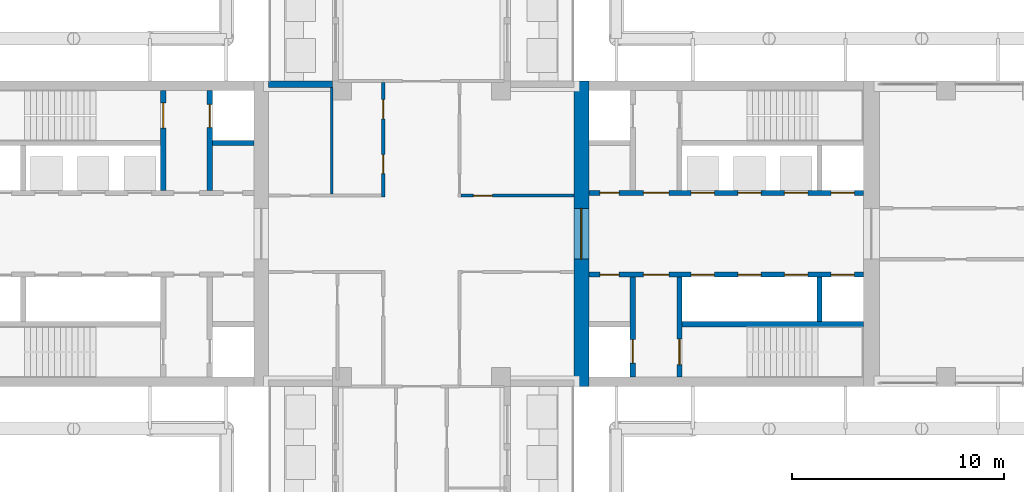
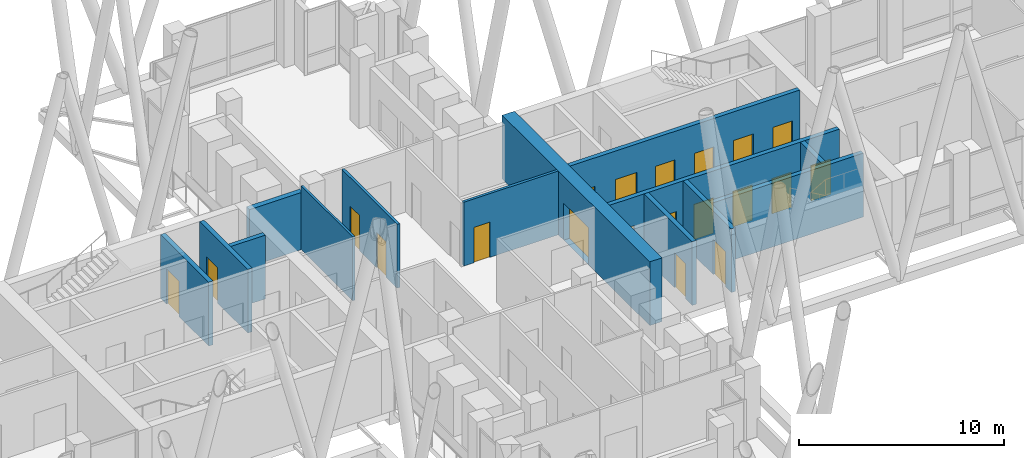
# One storey, part 16 of 22: 20 doors, 14 walls, 20 openings.
"""IFC4 building model written with IfcOpenShell, lengths in metres."""

from ifc_helpers import new_model, si_unit, direction, frame, frame_2d, origin, place, context, subcontext, project, spatial, rectangle, extrude, material, layer, layer_set, type_object, element, fill, save


model = new_model("IFC4")

# Units and contexts
model_context = context("Model", 3, precision=1e-05, world=origin(), true_north=direction((0.0, 1.0)))
body_context = subcontext(model_context, "Body", "Model", "MODEL_VIEW")
ifc_project = project(units=[si_unit("LENGTHUNIT", "METRE"), si_unit("AREAUNIT", "SQUARE_METRE"), si_unit("VOLUMEUNIT", "CUBIC_METRE"), si_unit("PLANEANGLEUNIT", "RADIAN"), si_unit("MASSUNIT", "GRAM", prefix="KILO")], contexts=[model_context])

# Site, building, storey
site_placement = place(None, origin())
site = spatial("IfcSite", under=ifc_project, at=site_placement, CompositionType="ELEMENT")
building_placement = place(site_placement, origin())
building = spatial("IfcBuilding", under=site, at=building_placement, Name="Fustian Cross Tower", CompositionType="ELEMENT")
storey_placement = place(building_placement, frame((0.0, 0.0, 116.10009765625)))
storey = spatial("IfcBuildingStorey", under=building, at=storey_placement, Name="L36", CompositionType="ELEMENT", Elevation=116.10009765625)

# Wall, openings, doors
ifc_material_1 = material(Name="Plasterboard on steel stud", Category="steel")
ifc_layer_1 = layer(ifc_material_1, 0.14990234375)
ifc_layer_set_1 = layer_set([ifc_layer_1], Name="Plasterboard on steel stud")
wall_type_1 = type_object("IfcWallType", Name="COMPARTMENT WALL 150 EI 60", PredefinedType="PARTITIONING", material=ifc_layer_set_1)
wall_1_placement = place(storey_placement, frame((-1.800048828125, 1.72509765625, 0.0), z_axis=(0.0, 0.0, 1.0), x_axis=(0.0, 1.0, 0.0)))
wall_1 = element("IfcWall", 1, at=wall_1_placement, inside=storey, type_object=wall_type_1, Name="Partition 13", PredefinedType="PARTITIONING", context=body_context, shape_type="SweptSolid", body=[
    extrude(rectangle(XDim=5.39990234375, YDim=0.14990234375, at=frame_2d((2.699951171875, 0.0))), origin(), (0.0, 0.0, 1.0), 3.7998046875),
])
opening_1_placement = place(wall_1_placement, frame((1.110107421875, 0.0, 0.0)))
opening_1 = element("IfcOpeningElement", 2, at=opening_1_placement, cuts=wall_1, Name="Opening D17004", PredefinedType="OPENING", context=body_context, shape_type="SweptSolid", body=[
    extrude(rectangle(XDim=0.89990234375, YDim=2.10009765625, at=frame_2d((0.449951171875, 1.050048828125))), frame((0.0, 0.0849609375, 0.0), z_axis=(0.0, -1.0, 0.0), x_axis=(1.0, 0.0, 0.0)), (0.0, 0.0, 1.0), 0.169921875),
])
opening_2_placement = place(wall_1_placement, frame((3.695068359375, 0.0, 0.0)))
opening_2 = element("IfcOpeningElement", 3, at=opening_2_placement, cuts=wall_1, Name="Opening D17005", PredefinedType="OPENING", context=body_context, shape_type="SweptSolid", body=[
    extrude(rectangle(XDim=0.89990234375, YDim=2.10009765625, at=frame_2d((0.449951171875, 1.050048828125))), frame((0.0, 0.0849609375, 0.0), z_axis=(0.0, -1.0, 0.0), x_axis=(1.0, 0.0, 0.0)), (0.0, 0.0, 1.0), 0.169921875),
])
ifc_material_2 = material(Name="Timber fire door set", Category="wood")
door_type_1 = type_object("IfcDoorType", Name="FIRE SWING DOOR 900 FD30S", OperationType="SINGLE_SWING_LEFT", PredefinedType="DOOR", material=ifc_material_2)
door_1_placement = place(opening_1_placement, origin())
door_1 = element("IfcDoor", 4, at=door_1_placement, inside=storey, type_object=door_type_1, Name="Door D17004", OperationType="SINGLE_SWING_LEFT", OverallHeight=2.10009765625, OverallWidth=0.89990234375, PredefinedType="DOOR", context=body_context, shape_type="SweptSolid", body=[
    extrude(rectangle(XDim=0.89990234375, YDim=2.10009765625, at=frame_2d((0.449951171875, 1.050048828125))), frame((0.0, 0.02490234375, 0.0), z_axis=(0.0, -1.0, 0.0), x_axis=(1.0, 0.0, 0.0)), (0.0, 0.0, 1.0), 0.050048828125),
])
fill(opening_1, door_1)
door_2_placement = place(opening_2_placement, origin())
door_2 = element("IfcDoor", 5, at=door_2_placement, inside=storey, type_object=door_type_1, Name="Door D17005", OperationType="SINGLE_SWING_RIGHT", OverallHeight=2.10009765625, OverallWidth=0.89990234375, PredefinedType="DOOR", context=body_context, shape_type="SweptSolid", body=[
    extrude(rectangle(XDim=0.89990234375, YDim=2.10009765625, at=frame_2d((0.449951171875, 1.050048828125))), frame((0.0, 0.02490234375, 0.0), z_axis=(0.0, -1.0, 0.0), x_axis=(1.0, 0.0, 0.0)), (0.0, 0.0, 1.0), 0.050048828125),
])
fill(opening_2, door_2)

# Wall, opening, door
wall_2_placement = place(storey_placement, frame((1.875, 1.800048828125, 0.0), z_axis=(0.0, 0.0, 1.0), x_axis=(1.0, 0.0, 0.0)))
wall_2 = element("IfcWall", 6, at=wall_2_placement, inside=storey, type_object=wall_type_1, Name="Partition 24", PredefinedType="PARTITIONING", context=body_context, shape_type="SweptSolid", body=[
    extrude(rectangle(XDim=5.324951171875, YDim=0.14990234375, at=frame_2d((2.66259765625, 0.0))), origin(), (0.0, 0.0, 1.0), 3.7998046875),
])
opening_3_placement = place(wall_2_placement, frame((0.574951171875, 0.0, 0.0)))
opening_3 = element("IfcOpeningElement", 7, at=opening_3_placement, cuts=wall_2, Name="Opening D17003", PredefinedType="OPENING", context=body_context, shape_type="SweptSolid", body=[
    extrude(rectangle(XDim=0.89990234375, YDim=2.10009765625, at=frame_2d((0.449951171875, 1.050048828125))), frame((0.0, 0.0849609375, 0.0), z_axis=(0.0, -1.0, 0.0), x_axis=(1.0, 0.0, 0.0)), (0.0, 0.0, 1.0), 0.169921875),
])
door_3_placement = place(opening_3_placement, frame((0.89990234375, 0.0, 0.0), z_axis=(0.0, 0.0, 1.0), x_axis=(-1.0, 0.0, 0.0)))
door_3 = element("IfcDoor", 8, at=door_3_placement, inside=storey, type_object=door_type_1, Name="Door D17003", OperationType="SINGLE_SWING_LEFT", OverallHeight=2.10009765625, OverallWidth=0.89990234375, PredefinedType="DOOR", context=body_context, shape_type="SweptSolid", body=[
    extrude(rectangle(XDim=0.89990234375, YDim=2.10009765625, at=frame_2d((0.449951171875, 1.050048828125))), frame((0.0, 0.02490234375, 0.0), z_axis=(0.0, -1.0, 0.0), x_axis=(1.0, 0.0, 0.0)), (0.0, 0.0, 1.0), 0.050048828125),
])
fill(opening_3, door_3)

ifc_material_3 = material(Name="Concrete C60/75", Category="concrete")
ifc_layer_2 = layer(ifc_material_3, 0.699951171875)
ifc_layer_set_2 = layer_set([ifc_layer_2], Name="Concrete C60/75")
wall_type_2 = type_object("IfcWallType", Name="CORE END WALL 700 C60/75", PredefinedType="SHEAR", material=ifc_layer_set_2)
wall_3_placement = place(storey_placement, frame((7.550048828125, -7.199951171875, 0.0), z_axis=(0.0, 0.0, 1.0), x_axis=(0.0, 1.0, 0.0)))
wall_3 = element("IfcWall", 9, at=wall_3_placement, inside=storey, type_object=wall_type_2, Name="Core end wall", PredefinedType="SHEAR", context=body_context, shape_type="SweptSolid", body=[
    extrude(rectangle(XDim=14.39990234375, YDim=0.699951171875, at=frame_2d((7.199951171875, 0.0))), origin(), (0.0, 0.0, 1.0), 3.7998046875),
])
opening_4_placement = place(wall_3_placement, frame((6.0, 0.0, 0.0)))
opening_4 = element("IfcOpeningElement", 10, at=opening_4_placement, cuts=wall_3, Name="Opening CD-14-17", PredefinedType="OPENING", context=body_context, shape_type="SweptSolid", body=[
    extrude(rectangle(XDim=2.39990234375, YDim=2.199951171875, at=frame_2d((1.199951171875, 1.10009765625))), frame((0.0, 0.35986328125, 0.0), z_axis=(0.0, -1.0, 0.0), x_axis=(1.0, 0.0, 0.0)), (0.0, 0.0, 1.0), 0.719970703125),
])
ifc_material_4 = material(Name="Steel", Category="steel")
door_type_2 = type_object("IfcDoorType", Name="FIRE DOOR FD30S DOUBLE 2400X2200", OperationType="DOUBLE_DOOR_DOUBLE_SWING", PredefinedType="DOOR", material=ifc_material_4)
door_4_placement = place(opening_4_placement, origin())
door_4 = element("IfcDoor", 11, at=door_4_placement, inside=storey, type_object=door_type_2, Name="Core door CD-14-17", OperationType="DOUBLE_DOOR_DOUBLE_SWING", OverallHeight=2.199951171875, OverallWidth=2.39990234375, PredefinedType="DOOR", context=body_context, shape_type="SweptSolid", body=[
    extrude(rectangle(XDim=2.39990234375, YDim=2.199951171875, at=frame_2d((1.199951171875, 1.10009765625))), frame((0.0, 0.02490234375, 0.0), z_axis=(0.0, -1.0, 0.0), x_axis=(1.0, 0.0, 0.0)), (0.0, 0.0, 1.0), 0.050048828125),
])
fill(opening_4, door_4)

# Wall, openings, doors
ifc_material_5 = material(Name="Concrete C50/60", Category="concrete")
ifc_layer_3 = layer(ifc_material_5, 0.25)
ifc_layer_set_3 = layer_set([ifc_layer_3], Name="Concrete C50/60")
wall_type_3 = type_object("IfcWallType", Name="CORE LOBBY WALL 250 C50/60", PredefinedType="SHEAR", material=ifc_layer_set_3)
wall_4_placement = place(storey_placement, frame((7.89990234375, 1.925048828125, 0.0), z_axis=(0.0, 0.0, 1.0), x_axis=(1.0, 0.0, 0.0)))
wall_4 = element("IfcWall", 12, at=wall_4_placement, inside=storey, type_object=wall_type_3, Name="Core lobby wall", PredefinedType="SHEAR", context=body_context, shape_type="SweptSolid", body=[
    extrude(rectangle(XDim=12.9501953125, YDim=0.25, at=frame_2d((6.47509765625, 0.0))), origin(), (0.0, 0.0, 1.0), 3.7998046875),
])
opening_5_placement = place(wall_4_placement, frame((4.824951171875, 0.0, 0.0)))
opening_5 = element("IfcOpeningElement", 13, at=opening_5_placement, cuts=wall_4, Name="Opening LD", PredefinedType="OPENING", context=body_context, shape_type="SweptSolid", body=[
    extrude(rectangle(XDim=1.10009765625, YDim=2.10009765625, at=frame_2d((0.550048828125, 1.050048828125))), frame((0.0, 0.135009765625, 0.0), z_axis=(0.0, -1.0, 0.0), x_axis=(1.0, 0.0, 0.0)), (0.0, 0.0, 1.0), 0.27001953125),
])
opening_6_placement = place(wall_4_placement, frame((7.02490234375, 0.0, 0.0)))
opening_6 = element("IfcOpeningElement", 14, at=opening_6_placement, cuts=wall_4, Name="Opening LD", PredefinedType="OPENING", context=body_context, shape_type="SweptSolid", body=[
    extrude(rectangle(XDim=1.10009765625, YDim=2.10009765625, at=frame_2d((0.550048828125, 1.050048828125))), frame((0.0, 0.135009765625, 0.0), z_axis=(0.0, -1.0, 0.0), x_axis=(1.0, 0.0, 0.0)), (0.0, 0.0, 1.0), 0.27001953125),
])
opening_7_placement = place(wall_4_placement, frame((9.22509765625, 0.0, 0.0)))
opening_7 = element("IfcOpeningElement", 15, at=opening_7_placement, cuts=wall_4, Name="Opening LD", PredefinedType="OPENING", context=body_context, shape_type="SweptSolid", body=[
    extrude(rectangle(XDim=1.10009765625, YDim=2.10009765625, at=frame_2d((0.550048828125, 1.050048828125))), frame((0.0, 0.135009765625, 0.0), z_axis=(0.0, -1.0, 0.0), x_axis=(1.0, 0.0, 0.0)), (0.0, 0.0, 1.0), 0.27001953125),
])
opening_8_placement = place(wall_4_placement, frame((11.425048828125, 0.0, 0.0)))
opening_8 = element("IfcOpeningElement", 16, at=opening_8_placement, cuts=wall_4, Name="Opening LD", PredefinedType="OPENING", context=body_context, shape_type="SweptSolid", body=[
    extrude(rectangle(XDim=1.10009765625, YDim=2.10009765625, at=frame_2d((0.550048828125, 1.050048828125))), frame((0.0, 0.135009765625, 0.0), z_axis=(0.0, -1.0, 0.0), x_axis=(1.0, 0.0, 0.0)), (0.0, 0.0, 1.0), 0.27001953125),
])
opening_9_placement = place(wall_4_placement, frame((0.52490234375, 0.0, 0.0)))
opening_9 = element("IfcOpeningElement", 17, at=opening_9_placement, cuts=wall_4, Name="Opening CD-14-13", PredefinedType="OPENING", context=body_context, shape_type="SweptSolid", body=[
    extrude(rectangle(XDim=0.89990234375, YDim=2.10009765625, at=frame_2d((0.449951171875, 1.050048828125))), frame((0.0, 0.135009765625, 0.0), z_axis=(0.0, -1.0, 0.0), x_axis=(1.0, 0.0, 0.0)), (0.0, 0.0, 1.0), 0.27001953125),
])
opening_10_placement = place(wall_4_placement, frame((2.574951171875, 0.0, 0.0)))
opening_10 = element("IfcOpeningElement", 18, at=opening_10_placement, cuts=wall_4, Name="Opening CD-14-15", PredefinedType="OPENING", context=body_context, shape_type="SweptSolid", body=[
    extrude(rectangle(XDim=1.199951171875, YDim=2.10009765625, at=frame_2d((0.60009765625, 1.050048828125))), frame((0.0, 0.135009765625, 0.0), z_axis=(0.0, -1.0, 0.0), x_axis=(1.0, 0.0, 0.0)), (0.0, 0.0, 1.0), 0.27001953125),
])
ifc_material_6 = material(Name="Steel", Category="steel")
door_type_3 = type_object("IfcDoorType", Name="FIRE DOOR FD60S 1200X2100", OperationType="SINGLE_SWING_LEFT", PredefinedType="DOOR", material=ifc_material_6)
door_5_placement = place(opening_10_placement, frame((1.199951171875, 0.0, 0.0), z_axis=(0.0, 0.0, 1.0), x_axis=(-1.0, 0.0, 0.0)))
door_5 = element("IfcDoor", 19, at=door_5_placement, inside=storey, type_object=door_type_3, Name="Core door CD-14-15", OperationType="SINGLE_SWING_RIGHT", OverallHeight=2.10009765625, OverallWidth=1.199951171875, PredefinedType="DOOR", context=body_context, shape_type="SweptSolid", body=[
    extrude(rectangle(XDim=1.199951171875, YDim=2.10009765625, at=frame_2d((0.60009765625, 1.050048828125))), frame((0.0, 0.02490234375, 0.0), z_axis=(0.0, -1.0, 0.0), x_axis=(1.0, 0.0, 0.0)), (0.0, 0.0, 1.0), 0.050048828125),
])
fill(opening_10, door_5)
ifc_material_7 = material(Name="Steel", Category="steel")
door_type_4 = type_object("IfcDoorType", Name="FIRE DOOR FD60S 900X2100", OperationType="SINGLE_SWING_LEFT", PredefinedType="DOOR", material=ifc_material_7)
door_6_placement = place(opening_9_placement, origin())
door_6 = element("IfcDoor", 20, at=door_6_placement, inside=storey, type_object=door_type_4, Name="Core door CD-14-13", OperationType="SINGLE_SWING_LEFT", OverallHeight=2.10009765625, OverallWidth=0.89990234375, PredefinedType="DOOR", context=body_context, shape_type="SweptSolid", body=[
    extrude(rectangle(XDim=0.89990234375, YDim=2.10009765625, at=frame_2d((0.449951171875, 1.050048828125))), frame((0.0, 0.02490234375, 0.0), z_axis=(0.0, -1.0, 0.0), x_axis=(1.0, 0.0, 0.0)), (0.0, 0.0, 1.0), 0.050048828125),
])
fill(opening_9, door_6)
ifc_material_8 = material(Name="Stainless steel", Category="steel")
door_type_5 = type_object("IfcDoorType", Name="LIFT LANDING DOOR 1100X2100", OperationType="SLIDING_TO_LEFT", PredefinedType="DOOR", material=ifc_material_8)
door_7_placement = place(opening_5_placement, origin())
door_7 = element("IfcDoor", 21, at=door_7_placement, inside=storey, type_object=door_type_5, Name="Landing door HR1", OperationType="SLIDING_TO_LEFT", OverallHeight=2.10009765625, OverallWidth=1.10009765625, PredefinedType="DOOR", context=body_context, shape_type="SweptSolid", body=[
    extrude(rectangle(XDim=1.10009765625, YDim=2.10009765625, at=frame_2d((0.550048828125, 1.050048828125))), frame((0.0, 0.02490234375, 0.0), z_axis=(0.0, -1.0, 0.0), x_axis=(1.0, 0.0, 0.0)), (0.0, 0.0, 1.0), 0.050048828125),
])
fill(opening_5, door_7)
door_8_placement = place(opening_6_placement, origin())
door_8 = element("IfcDoor", 22, at=door_8_placement, inside=storey, type_object=door_type_5, Name="Landing door HR2", OperationType="SLIDING_TO_LEFT", OverallHeight=2.10009765625, OverallWidth=1.10009765625, PredefinedType="DOOR", context=body_context, shape_type="SweptSolid", body=[
    extrude(rectangle(XDim=1.10009765625, YDim=2.10009765625, at=frame_2d((0.550048828125, 1.050048828125))), frame((0.0, 0.02490234375, 0.0), z_axis=(0.0, -1.0, 0.0), x_axis=(1.0, 0.0, 0.0)), (0.0, 0.0, 1.0), 0.050048828125),
])
fill(opening_6, door_8)
door_9_placement = place(opening_7_placement, origin())
door_9 = element("IfcDoor", 23, at=door_9_placement, inside=storey, type_object=door_type_5, Name="Landing door HR3", OperationType="SLIDING_TO_LEFT", OverallHeight=2.10009765625, OverallWidth=1.10009765625, PredefinedType="DOOR", context=body_context, shape_type="SweptSolid", body=[
    extrude(rectangle(XDim=1.10009765625, YDim=2.10009765625, at=frame_2d((0.550048828125, 1.050048828125))), frame((0.0, 0.02490234375, 0.0), z_axis=(0.0, -1.0, 0.0), x_axis=(1.0, 0.0, 0.0)), (0.0, 0.0, 1.0), 0.050048828125),
])
fill(opening_7, door_9)
door_10_placement = place(opening_8_placement, origin())
door_10 = element("IfcDoor", 24, at=door_10_placement, inside=storey, type_object=door_type_5, Name="Landing door SH2", OperationType="SLIDING_TO_LEFT", OverallHeight=2.10009765625, OverallWidth=1.10009765625, PredefinedType="DOOR", context=body_context, shape_type="SweptSolid", body=[
    extrude(rectangle(XDim=1.10009765625, YDim=2.10009765625, at=frame_2d((0.550048828125, 1.050048828125))), frame((0.0, 0.02490234375, 0.0), z_axis=(0.0, -1.0, 0.0), x_axis=(1.0, 0.0, 0.0)), (0.0, 0.0, 1.0), 0.050048828125),
])
fill(opening_8, door_10)

wall_5_placement = place(storey_placement, frame((7.89990234375, -1.925048828125, 0.0), z_axis=(0.0, 0.0, 1.0), x_axis=(1.0, 0.0, 0.0)))
wall_5 = element("IfcWall", 25, at=wall_5_placement, inside=storey, type_object=wall_type_3, Name="Core lobby wall", PredefinedType="SHEAR", context=body_context, shape_type="SweptSolid", body=[
    extrude(rectangle(XDim=12.9501953125, YDim=0.25, at=frame_2d((6.47509765625, 0.0))), origin(), (0.0, 0.0, 1.0), 3.7998046875),
])
opening_11_placement = place(wall_5_placement, frame((4.824951171875, 0.0, 0.0)))
opening_11 = element("IfcOpeningElement", 26, at=opening_11_placement, cuts=wall_5, Name="Opening LD", PredefinedType="OPENING", context=body_context, shape_type="SweptSolid", body=[
    extrude(rectangle(XDim=1.10009765625, YDim=2.10009765625, at=frame_2d((0.550048828125, 1.050048828125))), frame((0.0, 0.135009765625, 0.0), z_axis=(0.0, -1.0, 0.0), x_axis=(1.0, 0.0, 0.0)), (0.0, 0.0, 1.0), 0.27001953125),
])
opening_12_placement = place(wall_5_placement, frame((7.02490234375, 0.0, 0.0)))
opening_12 = element("IfcOpeningElement", 27, at=opening_12_placement, cuts=wall_5, Name="Opening LD", PredefinedType="OPENING", context=body_context, shape_type="SweptSolid", body=[
    extrude(rectangle(XDim=1.10009765625, YDim=2.10009765625, at=frame_2d((0.550048828125, 1.050048828125))), frame((0.0, 0.135009765625, 0.0), z_axis=(0.0, -1.0, 0.0), x_axis=(1.0, 0.0, 0.0)), (0.0, 0.0, 1.0), 0.27001953125),
])
opening_13_placement = place(wall_5_placement, frame((9.22509765625, 0.0, 0.0)))
opening_13 = element("IfcOpeningElement", 28, at=opening_13_placement, cuts=wall_5, Name="Opening LD", PredefinedType="OPENING", context=body_context, shape_type="SweptSolid", body=[
    extrude(rectangle(XDim=1.10009765625, YDim=2.10009765625, at=frame_2d((0.550048828125, 1.050048828125))), frame((0.0, 0.135009765625, 0.0), z_axis=(0.0, -1.0, 0.0), x_axis=(1.0, 0.0, 0.0)), (0.0, 0.0, 1.0), 0.27001953125),
])
opening_14_placement = place(wall_5_placement, frame((11.425048828125, 0.0, 0.0)))
opening_14 = element("IfcOpeningElement", 29, at=opening_14_placement, cuts=wall_5, Name="Opening LD", PredefinedType="OPENING", context=body_context, shape_type="SweptSolid", body=[
    extrude(rectangle(XDim=1.10009765625, YDim=2.10009765625, at=frame_2d((0.550048828125, 1.050048828125))), frame((0.0, 0.135009765625, 0.0), z_axis=(0.0, -1.0, 0.0), x_axis=(1.0, 0.0, 0.0)), (0.0, 0.0, 1.0), 0.27001953125),
])
opening_15_placement = place(wall_5_placement, frame((0.52490234375, 0.0, 0.0)))
opening_15 = element("IfcOpeningElement", 30, at=opening_15_placement, cuts=wall_5, Name="Opening CD-14-14", PredefinedType="OPENING", context=body_context, shape_type="SweptSolid", body=[
    extrude(rectangle(XDim=0.89990234375, YDim=2.10009765625, at=frame_2d((0.449951171875, 1.050048828125))), frame((0.0, 0.135009765625, 0.0), z_axis=(0.0, -1.0, 0.0), x_axis=(1.0, 0.0, 0.0)), (0.0, 0.0, 1.0), 0.27001953125),
])
opening_16_placement = place(wall_5_placement, frame((2.574951171875, 0.0, 0.0)))
opening_16 = element("IfcOpeningElement", 31, at=opening_16_placement, cuts=wall_5, Name="Opening CD-14-16", PredefinedType="OPENING", context=body_context, shape_type="SweptSolid", body=[
    extrude(rectangle(XDim=1.199951171875, YDim=2.10009765625, at=frame_2d((0.60009765625, 1.050048828125))), frame((0.0, 0.135009765625, 0.0), z_axis=(0.0, -1.0, 0.0), x_axis=(1.0, 0.0, 0.0)), (0.0, 0.0, 1.0), 0.27001953125),
])
ifc_material_9 = material(Name="Steel", Category="steel")
door_type_6 = type_object("IfcDoorType", Name="FIRE DOOR FD30S 1200X2100", OperationType="SINGLE_SWING_LEFT", PredefinedType="DOOR", material=ifc_material_9)
door_11_placement = place(opening_16_placement, frame((1.199951171875, 0.0, 0.0), z_axis=(0.0, 0.0, 1.0), x_axis=(-1.0, 0.0, 0.0)))
door_11 = element("IfcDoor", 32, at=door_11_placement, inside=storey, type_object=door_type_6, Name="Core door CD-14-16", OperationType="SINGLE_SWING_RIGHT", OverallHeight=2.10009765625, OverallWidth=1.199951171875, PredefinedType="DOOR", context=body_context, shape_type="SweptSolid", body=[
    extrude(rectangle(XDim=1.199951171875, YDim=2.10009765625, at=frame_2d((0.60009765625, 1.050048828125))), frame((0.0, 0.02490234375, 0.0), z_axis=(0.0, -1.0, 0.0), x_axis=(1.0, 0.0, 0.0)), (0.0, 0.0, 1.0), 0.050048828125),
])
fill(opening_16, door_11)
ifc_material_10 = material(Name="Steel", Category="steel")
door_type_7 = type_object("IfcDoorType", Name="FIRE DOOR FD30S 900X2100", OperationType="SINGLE_SWING_LEFT", PredefinedType="DOOR", material=ifc_material_10)
door_12_placement = place(opening_15_placement, frame((0.89990234375, 0.0, 0.0), z_axis=(0.0, 0.0, 1.0), x_axis=(-1.0, 0.0, 0.0)))
door_12 = element("IfcDoor", 33, at=door_12_placement, inside=storey, type_object=door_type_7, Name="Core door CD-14-14", OperationType="SINGLE_SWING_RIGHT", OverallHeight=2.10009765625, OverallWidth=0.89990234375, PredefinedType="DOOR", context=body_context, shape_type="SweptSolid", body=[
    extrude(rectangle(XDim=0.89990234375, YDim=2.10009765625, at=frame_2d((0.449951171875, 1.050048828125))), frame((0.0, 0.02490234375, 0.0), z_axis=(0.0, -1.0, 0.0), x_axis=(1.0, 0.0, 0.0)), (0.0, 0.0, 1.0), 0.050048828125),
])
fill(opening_15, door_12)
door_13_placement = place(opening_11_placement, origin())
door_13 = element("IfcDoor", 34, at=door_13_placement, inside=storey, type_object=door_type_5, Name="Landing door LR1", OperationType="SLIDING_TO_LEFT", OverallHeight=2.10009765625, OverallWidth=1.10009765625, PredefinedType="DOOR", context=body_context, shape_type="SweptSolid", body=[
    extrude(rectangle(XDim=1.10009765625, YDim=2.10009765625, at=frame_2d((0.550048828125, 1.050048828125))), frame((0.0, 0.02490234375, 0.0), z_axis=(0.0, -1.0, 0.0), x_axis=(1.0, 0.0, 0.0)), (0.0, 0.0, 1.0), 0.050048828125),
])
fill(opening_11, door_13)
door_14_placement = place(opening_12_placement, origin())
door_14 = element("IfcDoor", 35, at=door_14_placement, inside=storey, type_object=door_type_5, Name="Landing door LR2", OperationType="SLIDING_TO_LEFT", OverallHeight=2.10009765625, OverallWidth=1.10009765625, PredefinedType="DOOR", context=body_context, shape_type="SweptSolid", body=[
    extrude(rectangle(XDim=1.10009765625, YDim=2.10009765625, at=frame_2d((0.550048828125, 1.050048828125))), frame((0.0, 0.02490234375, 0.0), z_axis=(0.0, -1.0, 0.0), x_axis=(1.0, 0.0, 0.0)), (0.0, 0.0, 1.0), 0.050048828125),
])
fill(opening_12, door_14)
door_15_placement = place(opening_13_placement, origin())
door_15 = element("IfcDoor", 36, at=door_15_placement, inside=storey, type_object=door_type_5, Name="Landing door LR3", OperationType="SLIDING_TO_LEFT", OverallHeight=2.10009765625, OverallWidth=1.10009765625, PredefinedType="DOOR", context=body_context, shape_type="SweptSolid", body=[
    extrude(rectangle(XDim=1.10009765625, YDim=2.10009765625, at=frame_2d((0.550048828125, 1.050048828125))), frame((0.0, 0.02490234375, 0.0), z_axis=(0.0, -1.0, 0.0), x_axis=(1.0, 0.0, 0.0)), (0.0, 0.0, 1.0), 0.050048828125),
])
fill(opening_13, door_15)
door_16_placement = place(opening_14_placement, origin())
door_16 = element("IfcDoor", 37, at=door_16_placement, inside=storey, type_object=door_type_5, Name="Landing door SH1", OperationType="SLIDING_TO_LEFT", OverallHeight=2.10009765625, OverallWidth=1.10009765625, PredefinedType="DOOR", context=body_context, shape_type="SweptSolid", body=[
    extrude(rectangle(XDim=1.10009765625, YDim=2.10009765625, at=frame_2d((0.550048828125, 1.050048828125))), frame((0.0, 0.02490234375, 0.0), z_axis=(0.0, -1.0, 0.0), x_axis=(1.0, 0.0, 0.0)), (0.0, 0.0, 1.0), 0.050048828125),
])
fill(opening_14, door_16)

# Wall
ifc_material_11 = material(Name="Concrete C50/60", Category="concrete")
ifc_layer_4 = layer(ifc_material_11, 0.25)
ifc_layer_set_4 = layer_set([ifc_layer_4], Name="Concrete C50/60")
wall_type_4 = type_object("IfcWallType", Name="CORE SHAFT WALL 250 C50/60", PredefinedType="SHEAR", material=ifc_layer_set_4)
wall_6_placement = place(storey_placement, frame((12.300048828125, -4.27490234375, 0.0), z_axis=(0.0, 0.0, 1.0), x_axis=(1.0, 0.0, 0.0)))
element("IfcWall", 38, at=wall_6_placement, inside=storey, type_object=wall_type_4, Name="Core shaft wall", PredefinedType="SHEAR", context=body_context, shape_type="SweptSolid", body=[
    extrude(rectangle(XDim=8.550048828125, YDim=0.25, at=frame_2d((4.27490234375, 0.0))), origin(), (0.0, 0.0, 1.0), 3.7998046875),
])

# Wall, opening, door
wall_7_placement = place(storey_placement, frame((9.97509765625, -2.050048828125, 0.0), z_axis=(0.0, 0.0, 1.0), x_axis=(0.0, -1.0, 0.0)))
wall_7 = element("IfcWall", 39, at=wall_7_placement, inside=storey, type_object=wall_type_4, Name="Core shaft wall", PredefinedType="SHEAR", context=body_context, shape_type="SweptSolid", body=[
    extrude(rectangle(XDim=4.699951171875, YDim=0.25, at=frame_2d((2.35009765625, 0.0))), origin(), (0.0, 0.0, 1.0), 3.7998046875),
])
opening_17_placement = place(wall_7_placement, frame((2.949951171875, 0.0, 0.0)))
opening_17 = element("IfcOpeningElement", 40, at=opening_17_placement, cuts=wall_7, Name="Opening LD", PredefinedType="OPENING", context=body_context, shape_type="SweptSolid", body=[
    extrude(rectangle(XDim=1.10009765625, YDim=2.10009765625, at=frame_2d((0.550048828125, 1.050048828125))), frame((0.0, 0.135009765625, 0.0), z_axis=(0.0, -1.0, 0.0), x_axis=(1.0, 0.0, 0.0)), (0.0, 0.0, 1.0), 0.27001953125),
])
door_17_placement = place(opening_17_placement, origin())
door_17 = element("IfcDoor", 41, at=door_17_placement, inside=storey, type_object=door_type_5, Name="Landing door SV1", OperationType="SLIDING_TO_LEFT", OverallHeight=2.10009765625, OverallWidth=1.10009765625, PredefinedType="DOOR", context=body_context, shape_type="SweptSolid", body=[
    extrude(rectangle(XDim=1.10009765625, YDim=2.10009765625, at=frame_2d((0.550048828125, 1.050048828125))), frame((0.0, 0.02490234375, 0.0), z_axis=(0.0, -1.0, 0.0), x_axis=(1.0, 0.0, 0.0)), (0.0, 0.0, 1.0), 0.050048828125),
])
fill(opening_17, door_17)

wall_8_placement = place(storey_placement, frame((12.175048828125, -2.050048828125, 0.0), z_axis=(0.0, 0.0, 1.0), x_axis=(0.0, -1.0, 0.0)))
wall_8 = element("IfcWall", 42, at=wall_8_placement, inside=storey, type_object=wall_type_4, Name="Core shaft wall", PredefinedType="SHEAR", context=body_context, shape_type="SweptSolid", body=[
    extrude(rectangle(XDim=4.699951171875, YDim=0.25, at=frame_2d((2.35009765625, 0.0))), origin(), (0.0, 0.0, 1.0), 3.7998046875),
])
opening_18_placement = place(wall_8_placement, frame((2.925048828125, 0.0, 0.0)))
opening_18 = element("IfcOpeningElement", 43, at=opening_18_placement, cuts=wall_8, Name="Opening CD-14-12", PredefinedType="OPENING", context=body_context, shape_type="SweptSolid", body=[
    extrude(rectangle(XDim=1.199951171875, YDim=2.10009765625, at=frame_2d((0.60009765625, 1.050048828125))), frame((0.0, 0.135009765625, 0.0), z_axis=(0.0, -1.0, 0.0), x_axis=(1.0, 0.0, 0.0)), (0.0, 0.0, 1.0), 0.27001953125),
])
door_18_placement = place(opening_18_placement, origin())
door_18 = element("IfcDoor", 44, at=door_18_placement, inside=storey, type_object=door_type_3, Name="Core door CD-14-12", OperationType="SINGLE_SWING_LEFT", OverallHeight=2.10009765625, OverallWidth=1.199951171875, PredefinedType="DOOR", context=body_context, shape_type="SweptSolid", body=[
    extrude(rectangle(XDim=1.199951171875, YDim=2.10009765625, at=frame_2d((0.60009765625, 1.050048828125))), frame((0.0, 0.02490234375, 0.0), z_axis=(0.0, -1.0, 0.0), x_axis=(1.0, 0.0, 0.0)), (0.0, 0.0, 1.0), 0.050048828125),
])
fill(opening_18, door_18)

# Wall
wall_9_placement = place(storey_placement, frame((-7.89990234375, 4.27490234375, 0.0), z_axis=(0.0, 0.0, 1.0), x_axis=(-1.0, 0.0, 0.0)))
element("IfcWall", 45, at=wall_9_placement, inside=storey, type_object=wall_type_4, Name="Core shaft wall", PredefinedType="SHEAR", context=body_context, shape_type="SweptSolid", body=[
    extrude(rectangle(XDim=1.9501953125, YDim=0.25, at=frame_2d((0.97509765625, 0.0))), origin(), (0.0, 0.0, 1.0), 3.7998046875),
])

# Wall, opening, door
wall_10_placement = place(storey_placement, frame((-9.97509765625, 2.050048828125, 0.0), z_axis=(0.0, 0.0, 1.0), x_axis=(0.0, 1.0, 0.0)))
wall_10 = element("IfcWall", 46, at=wall_10_placement, inside=storey, type_object=wall_type_4, Name="Core shaft wall", PredefinedType="SHEAR", context=body_context, shape_type="SweptSolid", body=[
    extrude(rectangle(XDim=4.699951171875, YDim=0.25, at=frame_2d((2.35009765625, 0.0))), origin(), (0.0, 0.0, 1.0), 3.7998046875),
])
opening_19_placement = place(wall_10_placement, frame((2.949951171875, 0.0, 0.0)))
opening_19 = element("IfcOpeningElement", 47, at=opening_19_placement, cuts=wall_10, Name="Opening LD", PredefinedType="OPENING", context=body_context, shape_type="SweptSolid", body=[
    extrude(rectangle(XDim=1.10009765625, YDim=2.10009765625, at=frame_2d((0.550048828125, 1.050048828125))), frame((0.0, 0.135009765625, 0.0), z_axis=(0.0, -1.0, 0.0), x_axis=(1.0, 0.0, 0.0)), (0.0, 0.0, 1.0), 0.27001953125),
])
door_19_placement = place(opening_19_placement, origin())
door_19 = element("IfcDoor", 48, at=door_19_placement, inside=storey, type_object=door_type_5, Name="Landing door FL1W", OperationType="SLIDING_TO_LEFT", OverallHeight=2.10009765625, OverallWidth=1.10009765625, PredefinedType="DOOR", context=body_context, shape_type="SweptSolid", body=[
    extrude(rectangle(XDim=1.10009765625, YDim=2.10009765625, at=frame_2d((0.550048828125, 1.050048828125))), frame((0.0, 0.02490234375, 0.0), z_axis=(0.0, -1.0, 0.0), x_axis=(1.0, 0.0, 0.0)), (0.0, 0.0, 1.0), 0.050048828125),
])
fill(opening_19, door_19)

wall_11_placement = place(storey_placement, frame((-12.175048828125, 2.050048828125, 0.0), z_axis=(0.0, 0.0, 1.0), x_axis=(0.0, 1.0, 0.0)))
wall_11 = element("IfcWall", 49, at=wall_11_placement, inside=storey, type_object=wall_type_4, Name="Core shaft wall", PredefinedType="SHEAR", context=body_context, shape_type="SweptSolid", body=[
    extrude(rectangle(XDim=4.699951171875, YDim=0.25, at=frame_2d((2.35009765625, 0.0))), origin(), (0.0, 0.0, 1.0), 3.7998046875),
])
opening_20_placement = place(wall_11_placement, frame((2.925048828125, 0.0, 0.0)))
opening_20 = element("IfcOpeningElement", 50, at=opening_20_placement, cuts=wall_11, Name="Opening CD-14-29", PredefinedType="OPENING", context=body_context, shape_type="SweptSolid", body=[
    extrude(rectangle(XDim=1.199951171875, YDim=2.10009765625, at=frame_2d((0.60009765625, 1.050048828125))), frame((0.0, 0.135009765625, 0.0), z_axis=(0.0, -1.0, 0.0), x_axis=(1.0, 0.0, 0.0)), (0.0, 0.0, 1.0), 0.27001953125),
])
door_20_placement = place(opening_20_placement, origin())
door_20 = element("IfcDoor", 51, at=door_20_placement, inside=storey, type_object=door_type_3, Name="Core door CD-14-29", OperationType="SINGLE_SWING_LEFT", OverallHeight=2.10009765625, OverallWidth=1.199951171875, PredefinedType="DOOR", context=body_context, shape_type="SweptSolid", body=[
    extrude(rectangle(XDim=1.199951171875, YDim=2.10009765625, at=frame_2d((0.60009765625, 1.050048828125))), frame((0.0, 0.02490234375, 0.0), z_axis=(0.0, -1.0, 0.0), x_axis=(1.0, 0.0, 0.0)), (0.0, 0.0, 1.0), 0.050048828125),
])
fill(opening_20, door_20)

# Walls
ifc_material_12 = material(Name="Concrete C40/50", Category="concrete")
ifc_layer_5 = layer(ifc_material_12, 0.25)
ifc_layer_set_5 = layer_set([ifc_layer_5], Name="Concrete C40/50")
wall_type_5 = type_object("IfcWallType", Name="SHAFT PARTITION WALL 250 C40/50", PredefinedType="PARTITIONING", material=ifc_layer_set_5)
wall_12_placement = place(storey_placement, frame((18.77490234375, -2.050048828125, 0.0), z_axis=(0.0, 0.0, 1.0), x_axis=(0.0, -1.0, 0.0)))
element("IfcWall", 52, at=wall_12_placement, inside=storey, type_object=wall_type_5, Name="Core shaft wall", PredefinedType="PARTITIONING", context=body_context, shape_type="SweptSolid", body=[
    extrude(rectangle(XDim=2.099853515625, YDim=0.25, at=frame_2d((1.0498046875, 0.0))), origin(), (0.0, 0.0, 1.0), 3.7998046875),
])
ifc_material_13 = material(Name="Plasterboard on steel stud", Category="steel")
ifc_layer_6 = layer(ifc_material_13, 0.125)
ifc_layer_set_6 = layer_set([ifc_layer_6], Name="Plasterboard on steel stud")
wall_type_6 = type_object("IfcWallType", Name="WET WALL 125 STUD", PredefinedType="PARTITIONING", material=ifc_layer_set_6)
wall_13_placement = place(storey_placement, frame((-4.22998046875, 1.875, 0.0), z_axis=(0.0, 0.0, 1.0), x_axis=(0.0, 1.0, 0.0)))
element("IfcWall", 53, at=wall_13_placement, inside=storey, type_object=wall_type_6, Name="Partition 8", PredefinedType="PARTITIONING", context=body_context, shape_type="SweptSolid", body=[
    extrude(rectangle(XDim=5.02490234375, YDim=0.125, at=frame_2d((2.512451171875, 0.0))), origin(), (0.0, 0.0, 1.0), 3.7998046875),
])
ifc_material_14 = material(Name="Dark aluminium cladding on insulated backing wall", Category="aluminium")
ifc_layer_7 = layer(ifc_material_14, 0.300048828125)
ifc_layer_set_7 = layer_set([ifc_layer_7], Name="Dark aluminium cladding on insulated backing wall")
wall_type_7 = type_object("IfcWallType", Name="XW1 EXTERNAL WALL 300", PredefinedType="SOLIDWALL", material=ifc_layer_set_7)
wall_14_placement = place(storey_placement, frame((-4.199951171875, 7.050048828125, 0.0), z_axis=(0.0, 0.0, 1.0), x_axis=(-1.0, 0.0, 0.0)))
element("IfcWall", 54, at=wall_14_placement, inside=storey, type_object=wall_type_7, Name="External wall", PredefinedType="SOLIDWALL", context=body_context, shape_type="SweptSolid", body=[
    extrude(rectangle(XDim=3.0, YDim=0.300048828125, at=frame_2d((1.5, 0.0))), origin(), (0.0, 0.0, 1.0), 3.39990234375),
])

save(model, "model.ifc")
